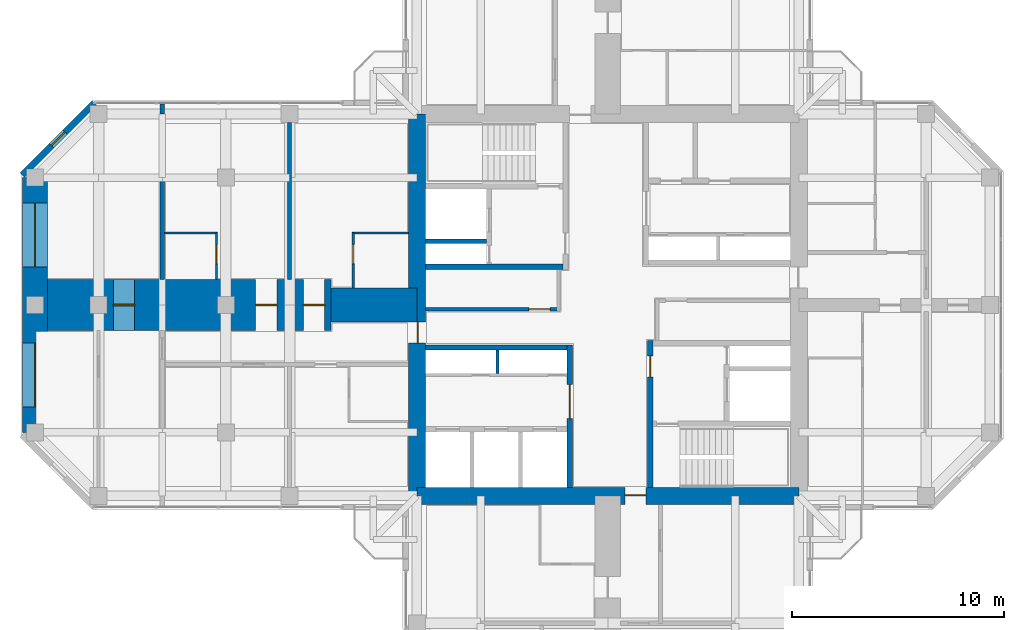
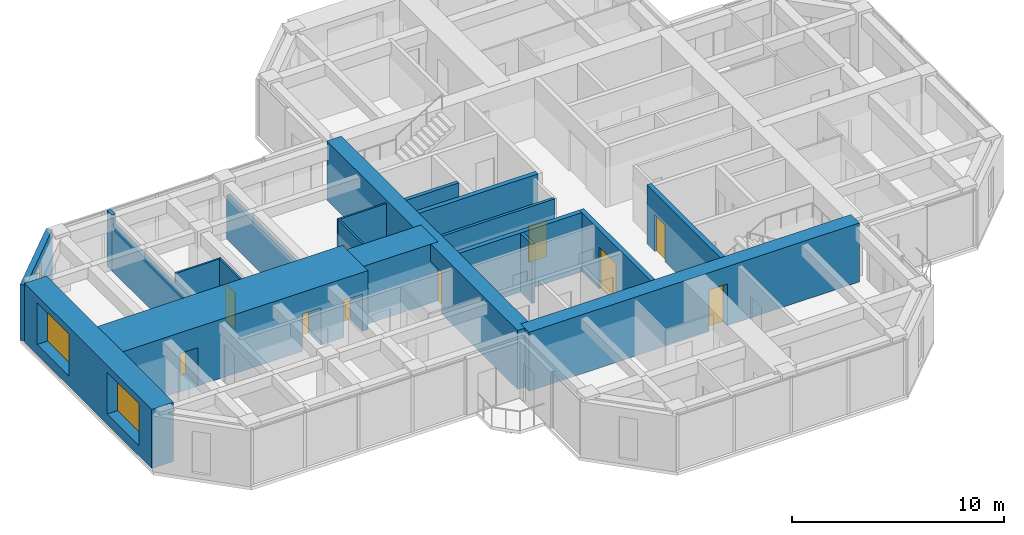
# One storey, part 9 of 13: 20 walls, 10 doors, 3 windows, 13 openings.
"""IFC4 building model written with IfcOpenShell, lengths in metres."""

import ifcopenshell
import ifcopenshell.guid

model = None  # the IFC model being written
_history = None  # IfcOwnerHistory: only IFC2X3 demands one
_inside = {}  # id of a spatial element -> (the spatial element, [elements in it])
_under = {}  # id of a project, library or spatial element -> (it, [spatial elements below it])
_declared = {}  # id of a project -> (the project, [libraries it declares])
_typed = {}  # id of a type object -> (the type object, [elements of that type])
_made_of = {}  # id of a material, layer set ... -> (it, [elements and type objects made of it])


def new_model(schema):
    """Start an empty IFC model of exactly this schema.

    Asked for "IFC4X3", IfcOpenShell would pick the latest addendum, in which some entities
    have other attributes; the version numbers below select the first issue.
    IFC2X3 requires an IfcOwnerHistory on every rooted entity: one is made here for all.
    """
    global model, _history
    if schema == "IFC4X3":
        model = ifcopenshell.file(schema_version=(4, 3, 0, 0))
    else:
        model = ifcopenshell.file(schema=schema)
    _inside.clear()
    _under.clear()
    _declared.clear()
    _typed.clear()
    _made_of.clear()
    _history = None
    if model.schema == "IFC2X3":
        org = make("IfcOrganization", Name="unknown")
        user = make(
            "IfcPersonAndOrganization",
            ThePerson=make("IfcPerson", FamilyName="unknown"),
            TheOrganization=org,
        )
        app = make(
            "IfcApplication",
            ApplicationDeveloper=org,
            Version="unknown",
            ApplicationFullName="unknown",
            ApplicationIdentifier="unknown",
        )
        _history = make(
            "IfcOwnerHistory",
            OwningUser=user,
            OwningApplication=app,
            ChangeAction="ADDED",
            CreationDate=0,
        )
    return model


def make(cls, **values):
    """One entity of the class cls with the attributes given. An attribute that is None is left unset."""
    return model.create_entity(
        cls, **{name: value for name, value in values.items() if value is not None}
    )


def rooted(cls, **values):
    """An entity with a GlobalId (a new one), such as an element, a storey or a relation."""
    return make(cls, GlobalId=ifcopenshell.guid.new(), OwnerHistory=_history, **values)


def si_unit(unit_type, name, prefix=None):
    """IfcSIUnit, for example si_unit("LENGTHUNIT", "METRE", prefix="MILLI")."""
    return make("IfcSIUnit", UnitType=unit_type, Prefix=prefix, Name=name)


def assignment(units):
    """IfcUnitAssignment: the units of a project."""
    return None if units is None else make("IfcUnitAssignment", Units=units)


def point(xyz):
    """IfcCartesianPoint."""
    return None if xyz is None else make("IfcCartesianPoint", Coordinates=xyz)


def direction(xyz):
    """IfcDirection."""
    return None if xyz is None else make("IfcDirection", DirectionRatios=xyz)


def frame(location, z_axis=None, x_axis=None):
    """IfcAxis2Placement3D, a coordinate frame: its origin and axes. An axis left out is left unset."""
    return make(
        "IfcAxis2Placement3D",
        Location=point(location),
        Axis=direction(z_axis),
        RefDirection=direction(x_axis),
    )


def frame_2d(location, x_axis=None):
    """IfcAxis2Placement2D, a coordinate frame in the plane: its origin and x axis."""
    return make(
        "IfcAxis2Placement2D", Location=point(location), RefDirection=direction(x_axis)
    )


def origin():
    """The frame at (0, 0, 0) with its axes left unset."""
    return frame((0.0, 0.0, 0.0))


def place(relative_to, where):
    """IfcLocalPlacement: puts the frame where relative to a parent placement (None: the world)."""
    return make(
        "IfcLocalPlacement", PlacementRelTo=relative_to, RelativePlacement=where
    )


def context(
    kind, dimensions, precision=None, world=None, true_north=None, identifier=None
):
    """IfcGeometricRepresentationContext, for example the 3D "Model" context."""
    return make(
        "IfcGeometricRepresentationContext",
        ContextIdentifier=identifier,
        ContextType=kind,
        CoordinateSpaceDimension=dimensions,
        Precision=precision,
        WorldCoordinateSystem=world,
        TrueNorth=true_north,
    )


def subcontext(parent, identifier, kind, view, scale=None):
    """IfcGeometricRepresentationSubContext, for example "Body" below "Model"."""
    return make(
        "IfcGeometricRepresentationSubContext",
        ContextIdentifier=identifier,
        ContextType=kind,
        ParentContext=parent,
        TargetScale=scale,
        TargetView=view,
    )


def project(units=None, contexts=None):
    """IfcProject with its units and contexts."""
    return rooted(
        "IfcProject",
        Name="project",
        RepresentationContexts=contexts,
        UnitsInContext=assignment(units),
    )


def spatial(cls, under=None, at=None, **own):
    """A site, building, storey or space (cls), placed at a placement, below another one or the project."""
    s = rooted(cls, ObjectPlacement=at, **own)
    if under is not None:
        _under.setdefault(under.id(), (under, []))[1].append(s)
    return s


def profile(cls, at=None, kind="AREA", **sizes):
    """A parametric profile (cls). Its sizes go by their IFC names, for example OverallWidth=200.0."""
    return make(cls, ProfileType=kind, Position=at, **sizes)


def rectangle(**sizes):
    """IfcRectangleProfileDef."""
    return profile("IfcRectangleProfileDef", **sizes)


def hollow_rectangle(**sizes):
    """IfcRectangleHollowProfileDef."""
    return profile("IfcRectangleHollowProfileDef", **sizes)


def extrude(swept, where, along, depth):
    """IfcExtrudedAreaSolid: the profile swept, set in the frame where, extruded along a direction by depth."""
    return make(
        "IfcExtrudedAreaSolid",
        SweptArea=swept,
        Position=where,
        ExtrudedDirection=direction(along),
        Depth=depth,
    )


def shape(context_of_items, identifier, shape_type, items):
    """IfcShapeRepresentation: the items that make up one representation, for example the "Body"."""
    return make(
        "IfcShapeRepresentation",
        ContextOfItems=context_of_items,
        RepresentationIdentifier=identifier,
        RepresentationType=shape_type,
        Items=items,
    )


def material(Name=None, Category=None):
    """IfcMaterial."""
    return make("IfcMaterial", Name=Name, Category=Category)


def layer(
    of_material, thickness, ventilated=None, Name=None, Category=None, Priority=None
):
    """IfcMaterialLayer: one layer of a wall or slab, of a material (None: an air gap)."""
    return make(
        "IfcMaterialLayer",
        Material=of_material,
        LayerThickness=thickness,
        IsVentilated=ventilated,
        Name=Name,
        Category=Category,
        Priority=Priority,
    )


def layer_set(layers, Name=None):
    """IfcMaterialLayerSet."""
    return make("IfcMaterialLayerSet", MaterialLayers=layers, LayerSetName=Name)


def constituent(of_material, Name=None, Category=None, fraction=None):
    """IfcMaterialConstituent: one of the materials an element consists of."""
    return make(
        "IfcMaterialConstituent",
        Name=Name,
        Material=of_material,
        Fraction=fraction,
        Category=Category,
    )


def constituent_set(constituents=None, Name=None):
    """IfcMaterialConstituentSet."""
    return make(
        "IfcMaterialConstituentSet", Name=Name, MaterialConstituents=constituents
    )


def made_of(thing, what):
    """Note that an element or type object is made of a material, layer set ...; save() writes the relation."""
    if what is not None:
        _made_of.setdefault(what.id(), (what, []))[1].append(thing)
    return thing


def type_object(cls, material=None, **own):
    """A type object (cls), such as IfcWallType, which elements share."""
    return made_of(rooted(cls, **own), material)


def element(
    cls,
    number,
    at=None,
    inside=None,
    cuts=None,
    type_object=None,
    material=None,
    context=None,
    identifier="Body",
    shape_type=None,
    held_by="IfcProductDefinitionShape",
    body=None,
    shapes=None,
    **own,
):
    """One element of the class cls, such as IfcWall. Its Tag is "e" and its number.

    at: its placement. inside: the storey or other place that contains it. cuts: it is an
    opening in that element (IfcRelVoidsElement). A single representation is given by context,
    identifier, shape_type and body (its items); several are given by shapes. held_by: the class
    of the entity that holds the representations. save() writes the other relations.
    """
    e = rooted(cls, Tag="e%d" % number, ObjectPlacement=at, **own)
    if body is not None:
        shapes = [shape(context, identifier, shape_type, body)]
    if shapes is not None:
        e.Representation = make(held_by, Representations=shapes)
    if inside is not None:
        _inside.setdefault(inside.id(), (inside, []))[1].append(e)
    if cuts is not None:
        rooted(
            "IfcRelVoidsElement", RelatingBuildingElement=cuts, RelatedOpeningElement=e
        )
    if type_object is not None:
        _typed.setdefault(type_object.id(), (type_object, []))[1].append(e)
    return made_of(e, material)


def fill(opening, filler):
    """IfcRelFillsElement: the door or window that sits in an opening."""
    return rooted(
        "IfcRelFillsElement",
        RelatingOpeningElement=opening,
        RelatedBuildingElement=filler,
    )


def aggregate(whole, parts):
    """IfcRelAggregates: a whole, such as a stair, and the parts it consists of."""
    return rooted("IfcRelAggregates", RelatingObject=whole, RelatedObjects=parts)


def save(model, path):
    """Write the relations noted so far, then the file.

    IfcRelAggregates (storeys below a building ...), IfcRelContainedInSpatialStructure (elements
    in a storey), IfcRelDefinesByType, IfcRelAssociatesMaterial and IfcRelDeclares: one each for
    every whole, place, type object, material and project.
    """
    for whole, parts in _under.values():
        aggregate(whole, parts)
    for where, things in _inside.values():
        rooted(
            "IfcRelContainedInSpatialStructure",
            RelatedElements=things,
            RelatingStructure=where,
        )
    for kind, things in _typed.values():
        rooted("IfcRelDefinesByType", RelatedObjects=things, RelatingType=kind)
    for what, things in _made_of.values():
        rooted("IfcRelAssociatesMaterial", RelatedObjects=things, RelatingMaterial=what)
    for by, libraries in _declared.values():
        rooted("IfcRelDeclares", RelatingContext=by, RelatedDefinitions=libraries)
    model.write(path)


model = new_model("IFC4")

# Units and contexts
model_context = context("Model", 3, precision=1e-05, world=origin(), true_north=direction((0.0, 1.0)))
body_context = subcontext(model_context, "Body", "Model", "MODEL_VIEW")
ifc_project = project(units=[si_unit("LENGTHUNIT", "METRE"), si_unit("AREAUNIT", "SQUARE_METRE"), si_unit("VOLUMEUNIT", "CUBIC_METRE"), si_unit("PLANEANGLEUNIT", "RADIAN"), si_unit("MASSUNIT", "GRAM", prefix="KILO")], contexts=[model_context])

# Site, building, storey
site_placement = place(None, origin())
site = spatial("IfcSite", under=ifc_project, at=site_placement, CompositionType="ELEMENT")
building_placement = place(site_placement, origin())
building = spatial("IfcBuilding", under=site, at=building_placement, Name="Torre Cruceta", CompositionType="ELEMENT")
storey_placement = place(building_placement, frame((0.0, 0.0, 245.89990234375)))
storey = spatial("IfcBuildingStorey", under=building, at=storey_placement, Name="L63", CompositionType="ELEMENT", Elevation=245.89990234375)

# Wall
ifc_material_1 = material(Name="Water-resistant plasterboard on steel studs", Category="steel")
ifc_layer_1 = layer(ifc_material_1, 0.10009765625)
ifc_layer_set_1 = layer_set([ifc_layer_1], Name="Water-resistant plasterboard on steel studs")
wall_type_1 = type_object("IfcWallType", Name="BATHROOM WALL 100", PredefinedType="PARTITIONING", material=ifc_layer_set_1)
wall_1_placement = place(storey_placement, frame((-9.39990234375, 3.39990234375, 0.0), z_axis=(0.0, 0.0, 1.0), x_axis=(-1.0, 0.0, 0.0)))
element("IfcWall", 1, at=wall_1_placement, inside=storey, type_object=wall_type_1, Name="PT4 L63-W-U1RBB", PredefinedType="PARTITIONING", context=body_context, shape_type="SweptSolid", body=[
    extrude(rectangle(XDim=2.650146484375, YDim=0.10009765625, at=frame_2d((1.3251953125, 0.0))), origin(), (0.0, 0.0, 1.0), 3.22021484375),
])

# Wall, opening, door
wall_2_placement = place(storey_placement, frame((-12.0, 3.39990234375, 0.0), z_axis=(0.0, 0.0, 1.0), x_axis=(0.0, -1.0, 0.0)))
wall_2 = element("IfcWall", 2, at=wall_2_placement, inside=storey, type_object=wall_type_1, Name="PT4 L63-W-U1RBS", PredefinedType="PARTITIONING", context=body_context, shape_type="SweptSolid", body=[
    extrude(rectangle(XDim=2.599853515625, YDim=0.10009765625, at=frame_2d((1.2998046875, 0.0))), origin(), (0.0, 0.0, 1.0), 3.22021484375),
])
opening_1_placement = place(wall_2_placement, frame((0.550048828125, 0.0, 0.0)))
opening_1 = element("IfcOpeningElement", 3, at=opening_1_placement, cuts=wall_2, Name="Opening D7", PredefinedType="OPENING", context=body_context, shape_type="SweptSolid", body=[
    extrude(rectangle(XDim=0.89990234375, YDim=2.10009765625, at=frame_2d((0.449951171875, 1.050048828125))), frame((0.0, 0.06005859375, 0.0), z_axis=(0.0, -1.0, 0.0), x_axis=(1.0, 0.0, 0.0)), (0.0, 0.0, 1.0), 0.1201171875),
])
ifc_material_2 = material(Name="Timber door", Category="wood")
door_type_1 = type_object("IfcDoorType", Name="BATHROOM DOOR 900X2100", OperationType="SINGLE_SWING_LEFT", PredefinedType="DOOR", material=ifc_material_2)
door_1_placement = place(opening_1_placement, origin())
door_1 = element("IfcDoor", 4, at=door_1_placement, inside=storey, type_object=door_type_1, Name="D7 L63-W-U1RBS-D1", OperationType="SINGLE_SWING_LEFT", OverallHeight=2.10009765625, OverallWidth=0.89990234375, PredefinedType="DOOR", context=body_context, shape_type="SweptSolid", body=[
    extrude(rectangle(XDim=0.89990234375, YDim=2.10009765625, at=frame_2d((0.449951171875, 1.050048828125))), frame((0.0, 0.02490234375, 0.0), z_axis=(0.0, -1.0, 0.0), x_axis=(1.0, 0.0, 0.0)), (0.0, 0.0, 1.0), 0.050048828125),
])
fill(opening_1, door_1)

# Wall
wall_3_placement = place(storey_placement, frame((-18.39990234375, 3.39990234375, 0.0), z_axis=(0.0, 0.0, 1.0), x_axis=(-1.0, 0.0, 0.0)))
element("IfcWall", 5, at=wall_3_placement, inside=storey, type_object=wall_type_1, Name="PT4 L63-W-U2RBB", PredefinedType="PARTITIONING", context=body_context, shape_type="SweptSolid", body=[
    extrude(rectangle(XDim=2.5, YDim=0.10009765625, at=frame_2d((1.25, 0.0))), origin(), (0.0, 0.0, 1.0), 3.22021484375),
])

# Wall, opening, door
wall_4_placement = place(storey_placement, frame((-18.449951171875, 3.39990234375, 0.0), z_axis=(0.0, 0.0, 1.0), x_axis=(0.0, -1.0, 0.0)))
wall_4 = element("IfcWall", 6, at=wall_4_placement, inside=storey, type_object=wall_type_1, Name="PT4 L63-W-U2RBS", PredefinedType="PARTITIONING", context=body_context, shape_type="SweptSolid", body=[
    extrude(rectangle(XDim=2.199951171875, YDim=0.10009765625, at=frame_2d((1.10009765625, 0.0))), origin(), (0.0, 0.0, 1.0), 3.22021484375),
])
opening_2_placement = place(wall_4_placement, frame((0.550048828125, 0.0, 0.0)))
opening_2 = element("IfcOpeningElement", 7, at=opening_2_placement, cuts=wall_4, Name="Opening D7", PredefinedType="OPENING", context=body_context, shape_type="SweptSolid", body=[
    extrude(rectangle(XDim=0.89990234375, YDim=2.10009765625, at=frame_2d((0.449951171875, 1.050048828125))), frame((0.0, 0.06005859375, 0.0), z_axis=(0.0, -1.0, 0.0), x_axis=(1.0, 0.0, 0.0)), (0.0, 0.0, 1.0), 0.1201171875),
])
door_2_placement = place(opening_2_placement, frame((0.89990234375, 0.0, 0.0), z_axis=(0.0, 0.0, 1.0), x_axis=(-1.0, 0.0, 0.0)))
door_2 = element("IfcDoor", 8, at=door_2_placement, inside=storey, type_object=door_type_1, Name="D7 L63-W-U2RBS-D1", OperationType="SINGLE_SWING_RIGHT", OverallHeight=2.10009765625, OverallWidth=0.89990234375, PredefinedType="DOOR", context=body_context, shape_type="SweptSolid", body=[
    extrude(rectangle(XDim=0.89990234375, YDim=2.10009765625, at=frame_2d((0.449951171875, 1.050048828125))), frame((0.0, 0.025146484375, 0.0), z_axis=(0.0, -1.0, 0.0), x_axis=(1.0, 0.0, 0.0)), (0.0, 0.0, 1.0), 0.050048828125),
])
fill(opening_2, door_2)

# Wall
ifc_material_3 = material(Name="Concrete G60 (fck 60 MPa)", Category="concrete")
ifc_layer_2 = layer(ifc_material_3, 0.25)
ifc_layer_set_2 = layer_set([ifc_layer_2], Name="Concrete G60 (fck 60 MPa)")
wall_type_2 = type_object("IfcWallType", Name="CORE INNER WALL 250 G60", PredefinedType="SHEAR", material=ifc_layer_set_2)
wall_5_placement = place(storey_placement, frame((-2.125, 1.800048828125, 0.0), z_axis=(0.0, 0.0, 1.0), x_axis=(-1.0, 0.0, 0.0)))
element("IfcWall", 9, at=wall_5_placement, inside=storey, type_object=wall_type_2, Name="CW4 L63 NW-CV", PredefinedType="SHEAR", context=body_context, shape_type="SweptSolid", body=[
    extrude(rectangle(XDim=6.47509765625, YDim=0.25, at=frame_2d((3.237548828125, 0.0))), origin(), (0.0, 0.0, 1.0), 3.400146484375),
])

# Wall, opening, door
wall_6_placement = place(storey_placement, frame((-1.800048828125, -1.875, 0.0), z_axis=(0.0, 0.0, 1.0), x_axis=(0.0, -1.0, 0.0)))
wall_6 = element("IfcWall", 10, at=wall_6_placement, inside=storey, type_object=wall_type_2, Name="CW4 L63 SW-CU", PredefinedType="SHEAR", context=body_context, shape_type="SweptSolid", body=[
    extrude(rectangle(XDim=6.72509765625, YDim=0.25, at=frame_2d((3.362548828125, 0.0))), origin(), (0.0, 0.0, 1.0), 3.400146484375),
])
opening_3_placement = place(wall_6_placement, frame((1.875, 0.0, 0.0)))
opening_3 = element("IfcOpeningElement", 11, at=opening_3_placement, cuts=wall_6, Name="Opening D8", PredefinedType="OPENING", context=body_context, shape_type="SweptSolid", body=[
    extrude(rectangle(XDim=1.60009765625, YDim=2.39990234375, at=frame_2d((0.800048828125, 1.199951171875))), frame((0.0, 0.135009765625, 0.0), z_axis=(0.0, -1.0, 0.0), x_axis=(1.0, 0.0, 0.0)), (0.0, 0.0, 1.0), 0.27001953125),
])
ifc_material_4 = material(Name="Steel DX51D", Category="steel")
ifc_constituent_1 = constituent(ifc_material_4, Name="Leaf and frame")
ifc_material_5 = material(Name="Polyester powder coating", Category="paint")
ifc_constituent_2 = constituent(ifc_material_5, Name="Finish")
ifc_material_6 = material(Name="Fire-resisting glass", Category="glass")
ifc_constituent_3 = constituent(ifc_material_6, Name="Vision panel")
ifc_constituent_set_1 = constituent_set(constituents=[ifc_constituent_1, ifc_constituent_2, ifc_constituent_3], Name="Steel fire door with vision panels")
door_type_2 = type_object("IfcDoorType", Name="LIFT LOBBY DOUBLE DOOR 1600X2400", OperationType="DOUBLE_DOOR_DOUBLE_SWING", PredefinedType="DOOR", material=ifc_constituent_set_1)
door_3_placement = place(opening_3_placement, origin())
door_3 = element("IfcDoor", 12, at=door_3_placement, inside=storey, type_object=door_type_2, Name="D8 L63 SW-LOBBY", OperationType="DOUBLE_DOOR_DOUBLE_SWING", OverallHeight=2.39990234375, OverallWidth=1.60009765625, PredefinedType="DOOR", context=body_context, shape_type="SweptSolid", body=[
    extrude(rectangle(XDim=1.60009765625, YDim=2.39990234375, at=frame_2d((0.800048828125, 1.199951171875))), frame((0.0, 0.02490234375, 0.0), z_axis=(0.0, -1.0, 0.0), x_axis=(1.0, 0.0, 0.0)), (0.0, 0.0, 1.0), 0.050048828125),
])
fill(opening_3, door_3)

# Wall
wall_7_placement = place(storey_placement, frame((-1.925048828125, -2.0, 0.0), z_axis=(0.0, 0.0, 1.0), x_axis=(-1.0, 0.0, 0.0)))
element("IfcWall", 13, at=wall_7_placement, inside=storey, type_object=wall_type_2, Name="CW4 L63 SW-CV", PredefinedType="SHEAR", context=body_context, shape_type="SweptSolid", body=[
    extrude(rectangle(XDim=6.675048828125, YDim=0.25, at=frame_2d((3.33740234375, 0.0))), origin(), (0.0, 0.0, 1.0), 3.400146484375),
])

# Wall, opening, door
wall_8_placement = place(storey_placement, frame((2.0, -1.675048828125, 0.0), z_axis=(0.0, 0.0, 1.0), x_axis=(0.0, -1.0, 0.0)))
wall_8 = element("IfcWall", 14, at=wall_8_placement, inside=storey, type_object=wall_type_2, Name="CW4 L63 SE-CU", PredefinedType="SHEAR", context=body_context, shape_type="SweptSolid", body=[
    extrude(rectangle(XDim=6.925048828125, YDim=0.25, at=frame_2d((3.46240234375, 0.0))), origin(), (0.0, 0.0, 1.0), 3.400146484375),
])
opening_4_placement = place(wall_8_placement, frame((0.72509765625, 0.0, 0.0)))
opening_4 = element("IfcOpeningElement", 15, at=opening_4_placement, cuts=wall_8, Name="Opening D3", PredefinedType="OPENING", context=body_context, shape_type="SweptSolid", body=[
    extrude(rectangle(XDim=1.0, YDim=2.10009765625, at=frame_2d((0.5, 1.050048828125))), frame((0.0, 0.135009765625, 0.0), z_axis=(0.0, -1.0, 0.0), x_axis=(1.0, 0.0, 0.0)), (0.0, 0.0, 1.0), 0.27001953125),
])
ifc_material_7 = material(Name="Steel DX51D", Category="steel")
ifc_constituent_4 = constituent(ifc_material_7, Name="Leaf and frame")
ifc_material_8 = material(Name="Polyester powder coating", Category="paint")
ifc_constituent_5 = constituent(ifc_material_8, Name="Finish")
ifc_constituent_set_2 = constituent_set(constituents=[ifc_constituent_4, ifc_constituent_5], Name="Steel fire door")
door_type_3 = type_object("IfcDoorType", Name="FIRE DOOR 1000X2100", OperationType="SINGLE_SWING_LEFT", PredefinedType="DOOR", material=ifc_constituent_set_2)
door_4_placement = place(opening_4_placement, origin())
door_4 = element("IfcDoor", 16, at=door_4_placement, inside=storey, type_object=door_type_3, Name="D3 L63 SE-LOBBY", OperationType="SINGLE_SWING_LEFT", OverallHeight=2.10009765625, OverallWidth=1.0, PredefinedType="DOOR", context=body_context, shape_type="SweptSolid", body=[
    extrude(rectangle(XDim=1.0, YDim=2.10009765625, at=frame_2d((0.5, 1.050048828125))), frame((0.0, 0.02490234375, 0.0), z_axis=(0.0, -1.0, 0.0), x_axis=(1.0, 0.0, 0.0)), (0.0, 0.0, 1.0), 0.050048828125),
])
fill(opening_4, door_4)

ifc_material_9 = material(Name="Concrete G60 (fck 60 MPa)", Category="concrete")
ifc_layer_3 = layer(ifc_material_9, 0.800048828125)
ifc_layer_set_3 = layer_set([ifc_layer_3], Name="Concrete G60 (fck 60 MPa)")
wall_type_3 = type_object("IfcWallType", Name="CORE WALL 800 G60", PredefinedType="SHEAR", material=ifc_layer_set_3)
wall_9_placement = place(storey_placement, frame((-9.0, -9.0, 0.0), z_axis=(0.0, 0.0, 1.0), x_axis=(1.0, 0.0, 0.0)))
wall_9 = element("IfcWall", 17, at=wall_9_placement, inside=storey, type_object=wall_type_3, Name="CW3 L63 CW-S", PredefinedType="SHEAR", context=body_context, shape_type="SweptSolid", body=[
    extrude(rectangle(XDim=18.0, YDim=0.800048828125, at=frame_2d((9.0, 0.0))), origin(), (0.0, 0.0, 1.0), 3.400146484375),
])
opening_5_placement = place(wall_9_placement, frame((9.800048828125, 0.0, 0.0)))
opening_5 = element("IfcOpeningElement", 18, at=opening_5_placement, cuts=wall_9, Name="Opening D4", PredefinedType="OPENING", context=body_context, shape_type="SweptSolid", body=[
    extrude(rectangle(XDim=1.0, YDim=2.39990234375, at=frame_2d((0.5, 1.199951171875))), frame((0.0, 0.409912109375, 0.0), z_axis=(0.0, -1.0, 0.0), x_axis=(1.0, 0.0, 0.0)), (0.0, 0.0, 1.0), 0.820068359375),
])
ifc_material_10 = material(Name="Steel DX51D", Category="steel")
ifc_constituent_6 = constituent(ifc_material_10, Name="Leaf and frame")
ifc_material_11 = material(Name="Polyester powder coating", Category="paint")
ifc_constituent_7 = constituent(ifc_material_11, Name="Finish")
ifc_constituent_set_3 = constituent_set(constituents=[ifc_constituent_6, ifc_constituent_7], Name="Steel fire door")
door_type_4 = type_object("IfcDoorType", Name="CORE ARM DOOR 1000X2400", OperationType="SINGLE_SWING_RIGHT", PredefinedType="DOOR", material=ifc_constituent_set_3)
door_5_placement = place(opening_5_placement, origin())
door_5 = element("IfcDoor", 19, at=door_5_placement, inside=storey, type_object=door_type_4, Name="D4 L63 CW-S", OperationType="SINGLE_SWING_RIGHT", OverallHeight=2.39990234375, OverallWidth=1.0, PredefinedType="DOOR", context=body_context, shape_type="SweptSolid", body=[
    extrude(rectangle(XDim=1.0, YDim=2.39990234375, at=frame_2d((0.5, 1.199951171875))), frame((0.0, 0.05517578125, 0.0), z_axis=(0.0, -1.0, 0.0), x_axis=(1.0, 0.0, 0.0)), (0.0, 0.0, 1.0), 0.050048828125),
])
fill(opening_5, door_5)

wall_10_placement = place(storey_placement, frame((-9.0, 9.0, 0.0), z_axis=(0.0, 0.0, 1.0), x_axis=(0.0, -1.0, 0.0)))
wall_10 = element("IfcWall", 20, at=wall_10_placement, inside=storey, type_object=wall_type_3, Name="CW3 L63 CW-W", PredefinedType="SHEAR", context=body_context, shape_type="SweptSolid", body=[
    extrude(rectangle(XDim=18.0, YDim=0.800048828125, at=frame_2d((9.0, 0.0))), origin(), (0.0, 0.0, 1.0), 3.400146484375),
])
opening_6_placement = place(wall_10_placement, frame((9.800048828125, 0.0, 0.0)))
opening_6 = element("IfcOpeningElement", 21, at=opening_6_placement, cuts=wall_10, Name="Opening D4", PredefinedType="OPENING", context=body_context, shape_type="SweptSolid", body=[
    extrude(rectangle(XDim=1.0, YDim=2.39990234375, at=frame_2d((0.5, 1.199951171875))), frame((0.0, 0.409912109375, 0.0), z_axis=(0.0, -1.0, 0.0), x_axis=(1.0, 0.0, 0.0)), (0.0, 0.0, 1.0), 0.820068359375),
])
door_6_placement = place(opening_6_placement, origin())
door_6 = element("IfcDoor", 22, at=door_6_placement, inside=storey, type_object=door_type_4, Name="D4 L63 CW-W", OperationType="SINGLE_SWING_RIGHT", OverallHeight=2.39990234375, OverallWidth=1.0, PredefinedType="DOOR", context=body_context, shape_type="SweptSolid", body=[
    extrude(rectangle(XDim=1.0, YDim=2.39990234375, at=frame_2d((0.5, 1.199951171875))), frame((0.0, 0.05517578125, 0.0), z_axis=(0.0, -1.0, 0.0), x_axis=(1.0, 0.0, 0.0)), (0.0, 0.0, 1.0), 0.050048828125),
])
fill(opening_6, door_6)

# Wall, opening, window
ifc_material_12 = material(Name="Concrete G30 (fck 30 MPa)", Category="concrete")
ifc_layer_4 = layer(ifc_material_12, 0.300048828125)
ifc_layer_set_4 = layer_set([ifc_layer_4], Name="Concrete G30 (fck 30 MPa)")
wall_type_4 = type_object("IfcWallType", Name="EXPOSED CONCRETE FACADE WALL 300", PredefinedType="SOLIDWALL", material=ifc_layer_set_4)
wall_11_placement = place(storey_placement, frame((-24.21533203125, 9.52001953125, 0.0), z_axis=(0.0, 0.0, 1.0), x_axis=(-0.707132283189, -0.707081278264, 0.0)))
wall_11 = element("IfcWall", 23, at=wall_11_placement, inside=storey, type_object=wall_type_4, Name="EW1 facade wall L63 W chamfer 11", PredefinedType="SOLIDWALL", context=body_context, shape_type="SweptSolid", body=[
    extrude(rectangle(XDim=4.78662109375, YDim=0.300048828125, at=frame_2d((2.393310546875, 0.0))), origin(), (0.0, 0.0, 1.0), 3.22021484375),
])
opening_7_placement = place(wall_11_placement, frame((1.943359375, 0.0, 0.300048828125)))
opening_7 = element("IfcOpeningElement", 24, at=opening_7_placement, cuts=wall_11, Name="Opening WN5", PredefinedType="OPENING", context=body_context, shape_type="SweptSolid", body=[
    extrude(rectangle(XDim=0.89990234375, YDim=2.39990234375, at=frame_2d((0.449951171875, 1.199951171875))), frame((0.0, 0.159912109375, 0.0), z_axis=(0.0, -1.0, 0.0), x_axis=(1.0, 0.0, 0.0)), (0.0, 0.0, 1.0), 0.320068359375),
])
ifc_material_13 = material(Name="Aluminium window frame", Category="aluminium")
ifc_constituent_8 = constituent(ifc_material_13, Name="Frame")
ifc_material_14 = material(Name="Laminated insulating glass unit, low-iron clear", Category="glass")
ifc_constituent_9 = constituent(ifc_material_14, Name="Glazing")
ifc_constituent_set_4 = constituent_set(constituents=[ifc_constituent_8, ifc_constituent_9], Name="Aluminium window")
window_type_1 = type_object("IfcWindowType", Name="CHAMFER SLOT WINDOW 900X2400", PartitioningType="SINGLE_PANEL", PredefinedType="WINDOW", material=ifc_constituent_set_4)
window_1_placement = place(opening_7_placement, origin())
window_1 = element("IfcWindow", 25, at=window_1_placement, inside=storey, type_object=window_type_1, Name="WN5 L63 W 1", OverallHeight=2.39990234375, OverallWidth=0.89990234375, PartitioningType="SINGLE_PANEL", PredefinedType="WINDOW", context=body_context, shape_type="SweptSolid", body=[
    extrude(hollow_rectangle(XDim=0.89990234375, YDim=2.39990234375, WallThickness=0.06005859375, at=frame_2d((0.449951171875, 1.199951171875))), frame((0.0, 0.030029296875, 0.0), z_axis=(0.0, -1.0, 0.0), x_axis=(1.0, 0.0, 0.0)), (0.0, 0.0, 1.0), 0.06005859375),
    extrude(rectangle(XDim=0.77880859375, YDim=2.27880859375, at=frame_2d((0.449951171875, 1.199951171875))), frame((0.0, 0.030029296875, 0.0), z_axis=(0.0, -1.0, 0.0), x_axis=(1.0, 0.0, 0.0)), (0.0, 0.0, 1.0), 0.06005859375),
])
fill(opening_7, window_1)

# Wall
ifc_material_15 = material(Name="Concrete G35 (fck 35 MPa)", Category="concrete")
ifc_layer_5 = layer(ifc_material_15, 0.199951171875)
ifc_layer_set_5 = layer_set([ifc_layer_5], Name="Concrete G35 (fck 35 MPa)")
wall_type_5 = type_object("IfcWallType", Name="LIFT SHAFT WALL 200", PredefinedType="PARTITIONING", material=ifc_layer_set_5)
wall_12_placement = place(storey_placement, frame((-5.72509765625, 3.0, 0.0), z_axis=(0.0, 0.0, 1.0), x_axis=(-1.0, 0.0, 0.0)))
element("IfcWall", 26, at=wall_12_placement, inside=storey, type_object=wall_type_5, Name="SW1 L63 NW-FR", PredefinedType="PARTITIONING", context=body_context, shape_type="SweptSolid", body=[
    extrude(rectangle(XDim=2.875, YDim=0.199951171875, at=frame_2d((1.4375, 0.0))), origin(), (0.0, 0.0, 1.0), 3.400146484375),
])

# Wall, openings, windows
ifc_material_16 = material(Name="Concrete G60 (fck 60 MPa)", Category="concrete")
ifc_layer_6 = layer(ifc_material_16, 1.199951171875)
ifc_layer_set_6 = layer_set([ifc_layer_6], Name="Concrete G60 (fck 60 MPa)")
wall_type_6 = type_object("IfcWallType", Name="NOSE WALL 1200 G60", PredefinedType="SHEAR", material=ifc_layer_set_6)
wall_13_placement = place(storey_placement, frame((-27.0, 6.0, 0.0), z_axis=(0.0, 0.0, 1.0), x_axis=(0.0, -1.0, 0.0)))
wall_13 = element("IfcWall", 27, at=wall_13_placement, inside=storey, type_object=wall_type_6, Name="NW1 nose wall L63 W", PredefinedType="SHEAR", context=body_context, shape_type="SweptSolid", body=[
    extrude(rectangle(XDim=12.0, YDim=1.199951171875, at=frame_2d((6.0, 0.0))), origin(), (0.0, 0.0, 1.0), 3.400146484375),
])
opening_8_placement = place(wall_13_placement, frame((1.199951171875, 0.0, 0.60009765625)))
opening_8 = element("IfcOpeningElement", 28, at=opening_8_placement, cuts=wall_13, Name="Opening WN6", PredefinedType="OPENING", context=body_context, shape_type="SweptSolid", body=[
    extrude(rectangle(XDim=3.0, YDim=2.39990234375, at=frame_2d((1.5, 1.199951171875))), frame((0.0, 0.60986328125, 0.0), z_axis=(0.0, -1.0, 0.0), x_axis=(1.0, 0.0, 0.0)), (0.0, 0.0, 1.0), 1.219970703125),
])
opening_9_placement = place(wall_13_placement, frame((7.800048828125, 0.0, 0.60009765625)))
opening_9 = element("IfcOpeningElement", 29, at=opening_9_placement, cuts=wall_13, Name="Opening WN6", PredefinedType="OPENING", context=body_context, shape_type="SweptSolid", body=[
    extrude(rectangle(XDim=3.0, YDim=2.39990234375, at=frame_2d((1.5, 1.199951171875))), frame((0.0, 0.60986328125, 0.0), z_axis=(0.0, -1.0, 0.0), x_axis=(1.0, 0.0, 0.0)), (0.0, 0.0, 1.0), 1.219970703125),
])
ifc_material_17 = material(Name="Aluminium window frame", Category="aluminium")
ifc_constituent_10 = constituent(ifc_material_17, Name="Frame")
ifc_material_18 = material(Name="Laminated insulating glass unit, low-iron clear", Category="glass")
ifc_constituent_11 = constituent(ifc_material_18, Name="Glazing")
ifc_constituent_set_5 = constituent_set(constituents=[ifc_constituent_10, ifc_constituent_11], Name="Aluminium window")
window_type_2 = type_object("IfcWindowType", Name="NOSE WALL WINDOW 3000X2400", PartitioningType="SINGLE_PANEL", PredefinedType="WINDOW", material=ifc_constituent_set_5)
window_2_placement = place(opening_8_placement, origin())
window_2 = element("IfcWindow", 30, at=window_2_placement, inside=storey, type_object=window_type_2, Name="WN6 L63 W 1", OverallHeight=2.39990234375, OverallWidth=3.0, PartitioningType="SINGLE_PANEL", PredefinedType="WINDOW", context=body_context, shape_type="SweptSolid", body=[
    extrude(hollow_rectangle(XDim=3.0, YDim=2.39990234375, WallThickness=0.06005859375, at=frame_2d((1.5, 1.199951171875))), frame((0.0, 0.030029296875, 0.0), z_axis=(0.0, -1.0, 0.0), x_axis=(1.0, 0.0, 0.0)), (0.0, 0.0, 1.0), 0.06005859375),
    extrude(rectangle(XDim=2.87890625, YDim=2.27880859375, at=frame_2d((1.5, 1.199951171875))), frame((0.0, 0.030029296875, 0.0), z_axis=(0.0, -1.0, 0.0), x_axis=(1.0, 0.0, 0.0)), (0.0, 0.0, 1.0), 0.06005859375),
])
fill(opening_8, window_2)
window_3_placement = place(opening_9_placement, origin())
window_3 = element("IfcWindow", 31, at=window_3_placement, inside=storey, type_object=window_type_2, Name="WN6 L63 W 2", OverallHeight=2.39990234375, OverallWidth=3.0, PartitioningType="SINGLE_PANEL", PredefinedType="WINDOW", context=body_context, shape_type="SweptSolid", body=[
    extrude(hollow_rectangle(XDim=3.0, YDim=2.39990234375, WallThickness=0.06005859375, at=frame_2d((1.5, 1.199951171875))), frame((0.0, 0.030029296875, 0.0), z_axis=(0.0, -1.0, 0.0), x_axis=(1.0, 0.0, 0.0)), (0.0, 0.0, 1.0), 0.06005859375),
    extrude(rectangle(XDim=2.87890625, YDim=2.27880859375, at=frame_2d((1.5, 1.199951171875))), frame((0.0, 0.030029296875, 0.0), z_axis=(0.0, -1.0, 0.0), x_axis=(1.0, 0.0, 0.0)), (0.0, 0.0, 1.0), 0.06005859375),
])
fill(opening_9, window_3)

# Wall, opening, door
ifc_material_19 = material(Name="Plasterboard on steel studs", Category="steel")
ifc_layer_7 = layer(ifc_material_19, 0.14990234375)
ifc_layer_set_7 = layer_set([ifc_layer_7], Name="Plasterboard on steel studs")
wall_type_7 = type_object("IfcWallType", Name="PARTITION 150", PredefinedType="PARTITIONING", material=ifc_layer_set_7)
wall_14_placement = place(storey_placement, frame((-2.324951171875, -0.199951171875, 0.0), z_axis=(0.0, 0.0, 1.0), x_axis=(-1.0, 0.0, 0.0)))
wall_14 = element("IfcWall", 32, at=wall_14_placement, inside=storey, type_object=wall_type_7, Name="PT1 L63-CORE-LEGW-N-W1", PredefinedType="PARTITIONING", context=body_context, shape_type="SweptSolid", body=[
    extrude(rectangle(XDim=6.275146484375, YDim=0.14990234375, at=frame_2d((3.1376953125, 0.0))), origin(), (0.0, 0.0, 1.0), 3.22021484375),
])
opening_10_placement = place(wall_14_placement, frame((0.39990234375, 0.0, 0.0)))
opening_10 = element("IfcOpeningElement", 33, at=opening_10_placement, cuts=wall_14, Name="Opening D3", PredefinedType="OPENING", context=body_context, shape_type="SweptSolid", body=[
    extrude(rectangle(XDim=1.0, YDim=2.10009765625, at=frame_2d((0.5, 1.050048828125))), frame((0.0, 0.0849609375, 0.0), z_axis=(0.0, -1.0, 0.0), x_axis=(1.0, 0.0, 0.0)), (0.0, 0.0, 1.0), 0.169921875),
])
door_7_placement = place(opening_10_placement, frame((1.0, 0.0, 0.0), z_axis=(0.0, 0.0, 1.0), x_axis=(-1.0, 0.0, 0.0)))
door_7 = element("IfcDoor", 34, at=door_7_placement, inside=storey, type_object=door_type_3, Name="D3 L63-CORE-LEGW-N-W1-D1", OperationType="SINGLE_SWING_RIGHT", OverallHeight=2.10009765625, OverallWidth=1.0, PredefinedType="DOOR", context=body_context, shape_type="SweptSolid", body=[
    extrude(rectangle(XDim=1.0, YDim=2.10009765625, at=frame_2d((0.5, 1.050048828125))), frame((0.0, 0.025146484375, 0.0), z_axis=(0.0, -1.0, 0.0), x_axis=(1.0, 0.0, 0.0)), (0.0, 0.0, 1.0), 0.050048828125),
])
fill(opening_10, door_7)

# Walls
ifc_material_20 = material(Name="Concrete block masonry", Category="masonry")
ifc_layer_8 = layer(ifc_material_20, 0.14990234375)
ifc_layer_set_8 = layer_set([ifc_layer_8], Name="Concrete block masonry")
wall_type_8 = type_object("IfcWallType", Name="RISER WALL 150", PredefinedType="PARTITIONING", material=ifc_layer_set_8)
wall_15_placement = place(storey_placement, frame((-5.199951171875, -2.125, 0.0), z_axis=(0.0, 0.0, 1.0), x_axis=(0.0, -1.0, 0.0)))
element("IfcWall", 35, at=wall_15_placement, inside=storey, type_object=wall_type_8, Name="SW7 L63 SW-RU", PredefinedType="PARTITIONING", context=body_context, shape_type="SweptSolid", body=[
    extrude(rectangle(XDim=1.10009765625, YDim=0.14990234375, at=frame_2d((0.550048828125, 0.0))), origin(), (0.0, 0.0, 1.0), 3.400146484375),
])
ifc_material_21 = material(Name="Concrete G60 (fck 60 MPa)", Category="concrete")
ifc_layer_9 = layer(ifc_material_21, 1.60009765625)
ifc_layer_set_9 = layer_set([ifc_layer_9], Name="Concrete G60 (fck 60 MPa)")
wall_type_9 = type_object("IfcWallType", Name="SPINE WALL 1600 G60", PredefinedType="SHEAR", material=ifc_layer_set_9)
wall_16_placement = place(storey_placement, frame((-9.0, 0.0, 0.0), z_axis=(0.0, 0.0, 1.0), x_axis=(-1.0, 0.0, 0.0)))
element("IfcWall", 36, at=wall_16_placement, inside=storey, type_object=wall_type_9, Name="SW2 spine wall root L63 W", PredefinedType="SHEAR", context=body_context, shape_type="SweptSolid", body=[
    extrude(rectangle(XDim=4.050048828125, YDim=1.60009765625, at=frame_2d((2.02490234375, 0.0))), origin(), (0.0, 0.0, 1.0), 3.400146484375),
])

# Wall, openings, doors
ifc_material_22 = material(Name="Concrete G60 (fck 60 MPa)", Category="concrete")
ifc_layer_10 = layer(ifc_material_22, 2.39990234375)
ifc_layer_set_10 = layer_set([ifc_layer_10], Name="Concrete G60 (fck 60 MPa)")
wall_type_10 = type_object("IfcWallType", Name="SPINE WALL 2400 G60", PredefinedType="SHEAR", material=ifc_layer_set_10)
wall_17_placement = place(storey_placement, frame((-13.050048828125, 0.0, 0.0), z_axis=(0.0, 0.0, 1.0), x_axis=(-1.0, 0.0, 0.0)))
wall_17 = element("IfcWall", 37, at=wall_17_placement, inside=storey, type_object=wall_type_10, Name="SW0 spine wall L63 W", PredefinedType="SHEAR", context=body_context, shape_type="SweptSolid", body=[
    extrude(rectangle(XDim=13.949951171875, YDim=2.39990234375, at=frame_2d((6.97509765625, 0.0))), origin(), (0.0, 0.0, 1.0), 3.400146484375),
])
opening_11_placement = place(wall_17_placement, frame((0.300048828125, 0.0, 0.0)))
opening_11 = element("IfcOpeningElement", 38, at=opening_11_placement, cuts=wall_17, Name="Opening D6", PredefinedType="OPENING", context=body_context, shape_type="SweptSolid", body=[
    extrude(rectangle(XDim=1.0, YDim=2.14990234375, at=frame_2d((0.5, 1.074951171875))), frame((0.0, 1.2099609375, 0.0), z_axis=(0.0, -1.0, 0.0), x_axis=(1.0, 0.0, 0.0)), (0.0, 0.0, 1.0), 2.419921875),
])
opening_12_placement = place(wall_17_placement, frame((2.550048828125, 0.0, 0.0)))
opening_12 = element("IfcOpeningElement", 39, at=opening_12_placement, cuts=wall_17, Name="Opening D6", PredefinedType="OPENING", context=body_context, shape_type="SweptSolid", body=[
    extrude(rectangle(XDim=1.0, YDim=2.14990234375, at=frame_2d((0.5, 1.074951171875))), frame((0.0, 1.2099609375, 0.0), z_axis=(0.0, -1.0, 0.0), x_axis=(1.0, 0.0, 0.0)), (0.0, 0.0, 1.0), 2.419921875),
])
opening_13_placement = place(wall_17_placement, frame((9.25, 0.0, 0.0)))
opening_13 = element("IfcOpeningElement", 40, at=opening_13_placement, cuts=wall_17, Name="Opening D14", PredefinedType="OPENING", context=body_context, shape_type="SweptSolid", body=[
    extrude(rectangle(XDim=1.0, YDim=2.199951171875, at=frame_2d((0.5, 1.10009765625))), frame((0.0, 1.2099609375, 0.0), z_axis=(0.0, -1.0, 0.0), x_axis=(1.0, 0.0, 0.0)), (0.0, 0.0, 1.0), 2.419921875),
])
ifc_material_23 = material(Name="Steel DX51D", Category="steel")
ifc_constituent_12 = constituent(ifc_material_23, Name="Leaf and frame")
ifc_material_24 = material(Name="Polyester powder coating", Category="paint")
ifc_constituent_13 = constituent(ifc_material_24, Name="Finish")
ifc_material_25 = material(Name="Fire-resisting glass", Category="glass")
ifc_constituent_14 = constituent(ifc_material_25, Name="Vision panel")
ifc_constituent_set_6 = constituent_set(constituents=[ifc_constituent_12, ifc_constituent_13, ifc_constituent_14], Name="Steel fire door with vision panel")
door_type_5 = type_object("IfcDoorType", Name="FIRE DOOR VISION PANEL 1000X2200", OperationType="SINGLE_SWING_RIGHT", PredefinedType="DOOR", material=ifc_constituent_set_6)
door_8_placement = place(opening_13_placement, origin())
door_8 = element("IfcDoor", 41, at=door_8_placement, inside=storey, type_object=door_type_5, Name="D14 L63-W-SP3", OperationType="SINGLE_SWING_RIGHT", OverallHeight=2.199951171875, OverallWidth=1.0, PredefinedType="DOOR", context=body_context, shape_type="SweptSolid", body=[
    extrude(rectangle(XDim=1.0, YDim=2.199951171875, at=frame_2d((0.5, 1.10009765625))), frame((0.0, 0.02490234375, 0.0), z_axis=(0.0, -1.0, 0.0), x_axis=(1.0, 0.0, 0.0)), (0.0, 0.0, 1.0), 0.050048828125),
])
fill(opening_13, door_8)
ifc_material_26 = material(Name="Timber fire door", Category="wood")
door_type_6 = type_object("IfcDoorType", Name="UNIT ENTRANCE DOOR 1000X2150", OperationType="SINGLE_SWING_LEFT", PredefinedType="DOOR", material=ifc_material_26)
door_9_placement = place(opening_11_placement, frame((1.0, 0.0, 0.0), z_axis=(0.0, 0.0, 1.0), x_axis=(-1.0, 0.0, 0.0)))
door_9 = element("IfcDoor", 42, at=door_9_placement, inside=storey, type_object=door_type_6, Name="D6 L63-W-SP1", OperationType="SINGLE_SWING_LEFT", OverallHeight=2.14990234375, OverallWidth=1.0, PredefinedType="DOOR", context=body_context, shape_type="SweptSolid", body=[
    extrude(rectangle(XDim=1.0, YDim=2.14990234375, at=frame_2d((0.5, 1.074951171875))), frame((0.0, 0.025146484375, 0.0), z_axis=(0.0, -1.0, 0.0), x_axis=(1.0, 0.0, 0.0)), (0.0, 0.0, 1.0), 0.050048828125),
])
fill(opening_11, door_9)
door_10_placement = place(opening_12_placement, frame((1.0, 0.0, 0.0), z_axis=(0.0, 0.0, 1.0), x_axis=(-1.0, 0.0, 0.0)))
door_10 = element("IfcDoor", 43, at=door_10_placement, inside=storey, type_object=door_type_6, Name="D6 L63-W-SP2", OperationType="SINGLE_SWING_RIGHT", OverallHeight=2.14990234375, OverallWidth=1.0, PredefinedType="DOOR", context=body_context, shape_type="SweptSolid", body=[
    extrude(rectangle(XDim=1.0, YDim=2.14990234375, at=frame_2d((0.5, 1.074951171875))), frame((0.0, 0.025146484375, 0.0), z_axis=(0.0, -1.0, 0.0), x_axis=(1.0, 0.0, 0.0)), (0.0, 0.0, 1.0), 0.050048828125),
])
fill(opening_12, door_10)

# Walls
ifc_material_27 = material(Name="Concrete G25 (fck 25 MPa)", Category="concrete")
ifc_layer_11 = layer(ifc_material_27, 0.199951171875)
ifc_layer_set_11 = layer_set([ifc_layer_11], Name="Concrete G25 (fck 25 MPa)")
wall_type_11 = type_object("IfcWallType", Name="UNIT SEPARATING WALL 200", PredefinedType="SOLIDWALL", material=ifc_layer_set_11)
wall_18_placement = place(storey_placement, frame((-15.0, 8.60009765625, 0.0), z_axis=(0.0, 0.0, 1.0), x_axis=(0.0, -1.0, 0.0)))
element("IfcWall", 44, at=wall_18_placement, inside=storey, type_object=wall_type_11, Name="PT2 L63-W-P1R", PredefinedType="SOLIDWALL", context=body_context, shape_type="SweptSolid", body=[
    extrude(rectangle(XDim=7.400146484375, YDim=0.199951171875, at=frame_2d((3.7001953125, 0.0))), origin(), (0.0, 0.0, 1.0), 2.52001953125),
])
wall_19_placement = place(storey_placement, frame((-21.0, 9.47998046875, 0.0), z_axis=(0.0, 0.0, 1.0), x_axis=(0.0, -1.0, 0.0)))
element("IfcWall", 45, at=wall_19_placement, inside=storey, type_object=wall_type_11, Name="PT2 L63-W-ENDa", PredefinedType="SOLIDWALL", context=body_context, shape_type="SweptSolid", body=[
    extrude(rectangle(XDim=0.47998046875, YDim=0.199951171875, at=frame_2d((0.239990234375, 0.0))), origin(), (0.0, 0.0, 1.0), 3.22021484375),
])
wall_20_placement = place(storey_placement, frame((-21.0, 9.0, 0.0), z_axis=(0.0, 0.0, 1.0), x_axis=(0.0, -1.0, 0.0)))
element("IfcWall", 46, at=wall_20_placement, inside=storey, type_object=wall_type_11, Name="PT2 L63-W-ENDa 2", PredefinedType="SOLIDWALL", context=body_context, shape_type="SweptSolid", body=[
    extrude(rectangle(XDim=7.800048828125, YDim=0.199951171875, at=frame_2d((3.89990234375, 0.0))), origin(), (0.0, 0.0, 1.0), 2.670166015625),
])

save(model, "model.ifc")
